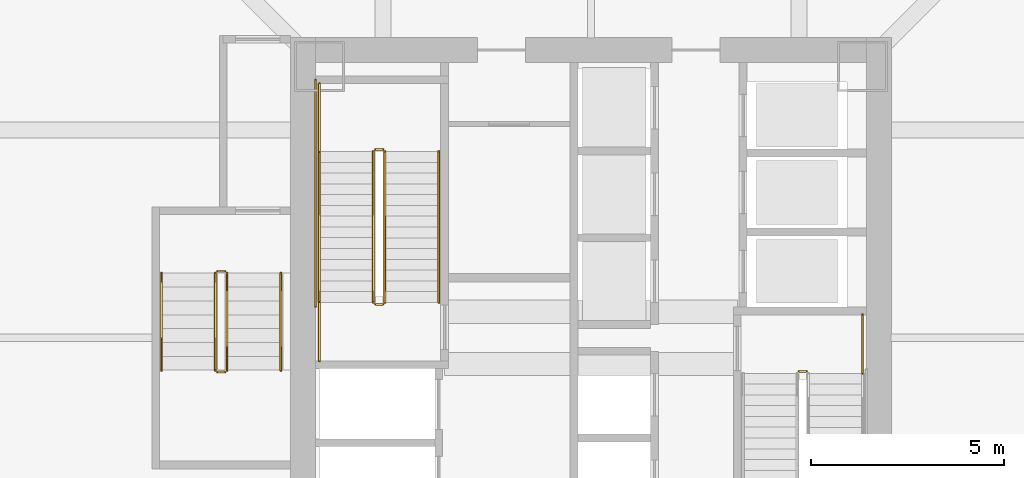
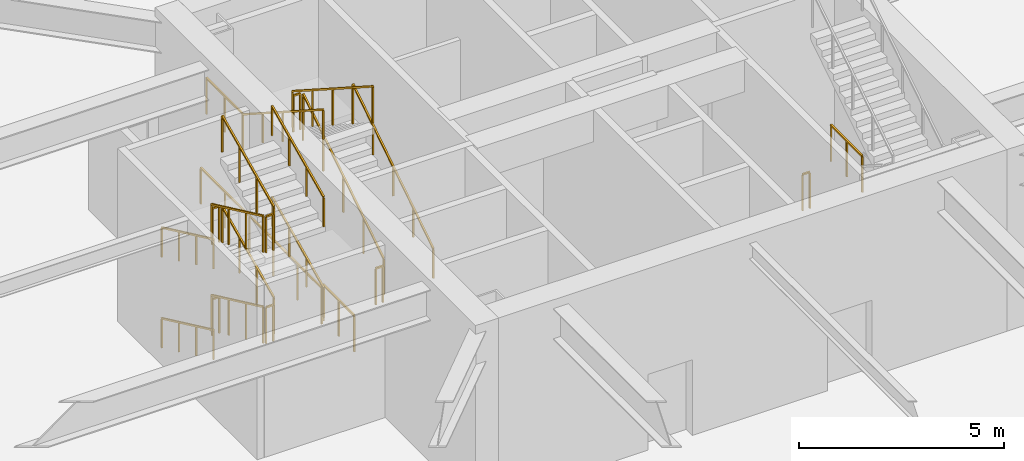
# One storey, part 21 of 26: 23 railings.
"""IFC4 building model written with IfcOpenShell, lengths in metres."""

from ifc_helpers import new_model, si_unit, direction, frame, origin, origin_2d, place, context, subcontext, project, spatial, rectangle, extrude, material, type_object, element, save


model = new_model("IFC4")

# Units and contexts
model_context = context("Model", 3, precision=1e-05, world=origin(), true_north=direction((0.0, 1.0)))
body_context = subcontext(model_context, "Body", "Model", "MODEL_VIEW")
ifc_project = project(units=[si_unit("LENGTHUNIT", "METRE"), si_unit("AREAUNIT", "SQUARE_METRE"), si_unit("VOLUMEUNIT", "CUBIC_METRE"), si_unit("PLANEANGLEUNIT", "RADIAN"), si_unit("MASSUNIT", "GRAM", prefix="KILO")], contexts=[model_context])

# Site, building, storey
site_placement = place(None, origin())
site = spatial("IfcSite", under=ifc_project, at=site_placement, CompositionType="ELEMENT")
building_placement = place(site_placement, origin())
building = spatial("IfcBuilding", under=site, at=building_placement, Name="Tashvorn Skyway Center", CompositionType="ELEMENT")
storey_placement = place(building_placement, origin())
storey = spatial("IfcBuildingStorey", under=building, at=storey_placement, Name="L00", CompositionType="ELEMENT", Elevation=0.0)

# Railings
ifc_material_1 = material(Name="Brushed stainless steel 316", Category="steel")
railing_type_1 = type_object("IfcRailingType", Name="RAIL-HAND-920", PredefinedType="HANDRAIL", material=ifc_material_1)
railing_1_placement = place(storey_placement, frame((38.050048828125, 32.919921875, 0.179931640625)))
element("IfcRailing", 1, at=railing_1_placement, inside=storey, type_object=railing_type_1, Name="L00 ST-T1-1 stair handrail 1", PredefinedType="HANDRAIL", context=body_context, shape_type="SweptSolid", body=[
    extrude(rectangle(XDim=0.048095703125, YDim=0.048095703125, at=origin_2d()), frame((0.0, 0.0, 0.8759765625), z_axis=(0.0, 0.841186985886, 0.540744352514), x_axis=(-1.0, 0.0, 0.0)), (0.0, 0.0, 1.0), 4.660400390625),
    extrude(rectangle(XDim=0.0419921875, YDim=0.0419921875, at=origin_2d()), origin(), (0.0, 0.0, 1.0), 0.851806640625),
    extrude(rectangle(XDim=0.0419921875, YDim=0.0419921875, at=origin_2d()), frame((0.0, 0.97998046875, 0.6298828125)), (0.0, 0.0, 1.0), 0.851806640625),
    extrude(rectangle(XDim=0.0419921875, YDim=0.0419921875, at=origin_2d()), frame((0.0, 1.9599609375, 1.260009765625)), (0.0, 0.0, 1.0), 0.851806640625),
    extrude(rectangle(XDim=0.0419921875, YDim=0.0419921875, at=origin_2d()), frame((0.0, 2.940185546875, 1.89013671875)), (0.0, 0.0, 1.0), 0.851806640625),
    extrude(rectangle(XDim=0.0419921875, YDim=0.0419921875, at=origin_2d()), frame((0.0, 3.920166015625, 2.52001953125)), (0.0, 0.0, 1.0), 0.851806640625),
])
railing_2_placement = place(storey_placement, frame((34.949951171875, 36.840087890625, 2.8798828125)))
element("IfcRailing", 2, at=railing_2_placement, inside=storey, type_object=railing_type_1, Name="L00 ST-T1-1 stair handrail 2", PredefinedType="HANDRAIL", context=body_context, shape_type="SweptSolid", body=[
    extrude(rectangle(XDim=0.048095703125, YDim=0.048095703125, at=origin_2d()), frame((0.0, 0.0, 0.8759765625), z_axis=(0.0, -0.841186985886, 0.540744352514), x_axis=(1.0, 0.0, 0.0)), (0.0, 0.0, 1.0), 4.660400390625),
    extrude(rectangle(XDim=0.0419921875, YDim=0.0419921875, at=origin_2d()), origin(), (0.0, 0.0, 1.0), 0.851806640625),
    extrude(rectangle(XDim=0.0419921875, YDim=0.0419921875, at=origin_2d()), frame((0.0, -0.97998046875, 0.6298828125)), (0.0, 0.0, 1.0), 0.851806640625),
    extrude(rectangle(XDim=0.0419921875, YDim=0.0419921875, at=origin_2d()), frame((0.0, -1.9599609375, 1.260009765625)), (0.0, 0.0, 1.0), 0.851806640625),
    extrude(rectangle(XDim=0.0419921875, YDim=0.0419921875, at=origin_2d()), frame((0.0, -2.940185546875, 1.89013671875)), (0.0, 0.0, 1.0), 0.851806640625),
    extrude(rectangle(XDim=0.0419921875, YDim=0.0419921875, at=origin_2d()), frame((0.0, -3.920166015625, 2.52001953125)), (0.0, 0.0, 1.0), 0.851806640625),
])
railing_3_placement = place(storey_placement, frame((30.85009765625, 33.679931640625, 0.168701171875)))
element("IfcRailing", 3, at=railing_3_placement, inside=storey, type_object=railing_type_1, Name="L00 ST-T1-3 stair handrail 1", PredefinedType="HANDRAIL", context=body_context, shape_type="SweptSolid", body=[
    extrude(rectangle(XDim=0.048095703125, YDim=0.048095703125, at=origin_2d()), frame((0.0, 0.0, 0.8759765625), z_axis=(0.0, -0.905439972488, 0.424474329284), x_axis=(1.0, 0.0, 0.0)), (0.0, 0.0, 1.0), 2.783203125),
    extrude(rectangle(XDim=0.0419921875, YDim=0.0419921875, at=origin_2d()), origin(), (0.0, 0.0, 1.0), 0.851806640625),
    extrude(rectangle(XDim=0.0419921875, YDim=0.0419921875, at=origin_2d()), frame((0.0, -0.840087890625, 0.393798828125)), (0.0, 0.0, 1.0), 0.851806640625),
    extrude(rectangle(XDim=0.0419921875, YDim=0.0419921875, at=origin_2d()), frame((0.0, -1.679931640625, 0.78759765625)), (0.0, 0.0, 1.0), 0.851806640625),
    extrude(rectangle(XDim=0.0419921875, YDim=0.0419921875, at=origin_2d()), frame((0.0, -2.52001953125, 1.181396484375)), (0.0, 0.0, 1.0), 0.851806640625),
])
railing_4_placement = place(storey_placement, frame((33.949951171875, 31.159912109375, 1.518798828125)))
element("IfcRailing", 4, at=railing_4_placement, inside=storey, type_object=railing_type_1, Name="L00 ST-T1-3 stair handrail 2", PredefinedType="HANDRAIL", context=body_context, shape_type="SweptSolid", body=[
    extrude(rectangle(XDim=0.048095703125, YDim=0.048095703125, at=origin_2d()), frame((0.0, 0.0, 0.8759765625), z_axis=(0.0, 0.905473684625, 0.424402410988), x_axis=(-1.0, 0.0, 0.0)), (0.0, 0.0, 1.0), 2.783203125),
    extrude(rectangle(XDim=0.0419921875, YDim=0.0419921875, at=origin_2d()), origin(), (0.0, 0.0, 1.0), 0.851806640625),
    extrude(rectangle(XDim=0.0419921875, YDim=0.0419921875, at=origin_2d()), frame((0.0, 0.840087890625, 0.393798828125)), (0.0, 0.0, 1.0), 0.851806640625),
    extrude(rectangle(XDim=0.0419921875, YDim=0.0419921875, at=origin_2d()), frame((0.0, 1.679931640625, 0.787353515625)), (0.0, 0.0, 1.0), 0.851806640625),
    extrude(rectangle(XDim=0.0419921875, YDim=0.0419921875, at=origin_2d()), frame((0.0, 2.52001953125, 1.18115234375)), (0.0, 0.0, 1.0), 0.851806640625),
])
railing_5_placement = place(storey_placement, frame((30.85009765625, 33.679931640625, 2.86865234375)))
element("IfcRailing", 5, at=railing_5_placement, inside=storey, type_object=railing_type_1, Name="L00 ST-T1-3 stair handrail 3", PredefinedType="HANDRAIL", context=body_context, shape_type="SweptSolid", body=[
    extrude(rectangle(XDim=0.048095703125, YDim=0.048095703125, at=origin_2d()), frame((0.0, 0.0, 0.8759765625), z_axis=(0.0, -0.905439972488, 0.424474329284), x_axis=(1.0, 0.0, 0.0)), (0.0, 0.0, 1.0), 2.783203125),
    extrude(rectangle(XDim=0.0419921875, YDim=0.0419921875, at=origin_2d()), origin(), (0.0, 0.0, 1.0), 0.851806640625),
    extrude(rectangle(XDim=0.0419921875, YDim=0.0419921875, at=origin_2d()), frame((0.0, -0.840087890625, 0.393798828125)), (0.0, 0.0, 1.0), 0.851806640625),
    extrude(rectangle(XDim=0.0419921875, YDim=0.0419921875, at=origin_2d()), frame((0.0, -1.679931640625, 0.78759765625)), (0.0, 0.0, 1.0), 0.851806640625),
    extrude(rectangle(XDim=0.0419921875, YDim=0.0419921875, at=origin_2d()), frame((0.0, -2.52001953125, 1.181396484375)), (0.0, 0.0, 1.0), 0.851806640625),
])
railing_6_placement = place(storey_placement, frame((33.949951171875, 31.159912109375, 4.21875)))
element("IfcRailing", 6, at=railing_6_placement, inside=storey, type_object=railing_type_1, Name="L00 ST-T1-3 stair handrail 4", PredefinedType="HANDRAIL", context=body_context, shape_type="SweptSolid", body=[
    extrude(rectangle(XDim=0.048095703125, YDim=0.048095703125, at=origin_2d()), frame((0.0, 0.0, 0.8759765625), z_axis=(0.0, 0.905473684625, 0.424402410988), x_axis=(-1.0, 0.0, 0.0)), (0.0, 0.0, 1.0), 2.783203125),
    extrude(rectangle(XDim=0.0419921875, YDim=0.0419921875, at=origin_2d()), origin(), (0.0, 0.0, 1.0), 0.851806640625),
    extrude(rectangle(XDim=0.0419921875, YDim=0.0419921875, at=origin_2d()), frame((0.0, 0.840087890625, 0.393798828125)), (0.0, 0.0, 1.0), 0.851806640625),
    extrude(rectangle(XDim=0.0419921875, YDim=0.0419921875, at=origin_2d()), frame((0.0, 1.679931640625, 0.787353515625)), (0.0, 0.0, 1.0), 0.851806640625),
    extrude(rectangle(XDim=0.0419921875, YDim=0.0419921875, at=origin_2d()), frame((0.0, 2.52001953125, 1.18115234375)), (0.0, 0.0, 1.0), 0.851806640625),
])
ifc_material_2 = material(Name="Painted galvanized steel S355", Category="steel")
railing_type_2 = type_object("IfcRailingType", Name="RAIL-STGUARD-1100", PredefinedType="GUARDRAIL", material=ifc_material_2)
railing_7_placement = place(storey_placement, frame((36.64990234375, 32.919921875, 0.179931640625)))
element("IfcRailing", 7, at=railing_7_placement, inside=storey, type_object=railing_type_2, Name="L00 ST-T1-1 stair guard 1", PredefinedType="GUARDRAIL", context=body_context, shape_type="SweptSolid", body=[
    extrude(rectangle(XDim=0.048095703125, YDim=0.048095703125, at=origin_2d()), frame((0.0, 0.0, 1.076171875), z_axis=(0.0, 0.841186985886, 0.540744352514), x_axis=(-1.0, 0.0, 0.0)), (0.0, 0.0, 1.0), 4.660400390625),
    extrude(rectangle(XDim=0.0419921875, YDim=0.0419921875, at=origin_2d()), origin(), (0.0, 0.0, 1.0), 1.052001953125),
    extrude(rectangle(XDim=0.0419921875, YDim=0.0419921875, at=origin_2d()), frame((0.0, 0.97998046875, 0.6298828125)), (0.0, 0.0, 1.0), 1.052001953125),
    extrude(rectangle(XDim=0.0419921875, YDim=0.0419921875, at=origin_2d()), frame((0.0, 1.9599609375, 1.260009765625)), (0.0, 0.0, 1.0), 1.052001953125),
    extrude(rectangle(XDim=0.0419921875, YDim=0.0419921875, at=origin_2d()), frame((0.0, 2.940185546875, 1.89013671875)), (0.0, 0.0, 1.0), 1.052001953125),
    extrude(rectangle(XDim=0.0419921875, YDim=0.0419921875, at=origin_2d()), frame((0.0, 3.920166015625, 2.52001953125)), (0.0, 0.0, 1.0), 1.052001953125),
])
railing_8_placement = place(storey_placement, frame((36.60009765625, 36.889892578125, 2.699951171875)))
element("IfcRailing", 8, at=railing_8_placement, inside=storey, type_object=railing_type_2, Name="L00 ST-T1-1 stair guard 2", PredefinedType="GUARDRAIL", context=body_context, shape_type="SweptSolid", body=[
    extrude(rectangle(XDim=0.048095703125, YDim=0.048095703125, at=origin_2d()), frame((0.0, 0.0, 1.076171875), z_axis=(-1.0, 0.0, 0.0), x_axis=(0.0, -1.0, 0.0)), (0.0, 0.0, 1.0), 0.2001953125),
    extrude(rectangle(XDim=0.0419921875, YDim=0.0419921875, at=origin_2d()), origin(), (0.0, 0.0, 1.0), 1.052001953125),
    extrude(rectangle(XDim=0.0419921875, YDim=0.0419921875, at=origin_2d()), frame((-0.2001953125, 0.0, 0.0)), (0.0, 0.0, 1.0), 1.052001953125),
])
railing_9_placement = place(storey_placement, frame((34.949951171875, 36.840087890625, 2.699951171875)))
element("IfcRailing", 9, at=railing_9_placement, inside=storey, type_object=railing_type_2, Name="L00 ST-T1-1 stair guard 3", PredefinedType="GUARDRAIL", context=body_context, shape_type="SweptSolid", body=[
    extrude(rectangle(XDim=0.048095703125, YDim=0.048095703125, at=origin_2d()), frame((0.0, 0.0, 1.076171875), z_axis=(0.0, 1.0, 0.0), x_axis=(-1.0, 0.0, 0.0)), (0.0, 0.0, 1.0), 1.760009765625),
    extrude(rectangle(XDim=0.0419921875, YDim=0.0419921875, at=origin_2d()), origin(), (0.0, 0.0, 1.0), 1.052001953125),
    extrude(rectangle(XDim=0.0419921875, YDim=0.0419921875, at=origin_2d()), frame((0.0, 0.8798828125, 0.0)), (0.0, 0.0, 1.0), 1.052001953125),
    extrude(rectangle(XDim=0.0419921875, YDim=0.0419921875, at=origin_2d()), frame((0.0, 1.760009765625, 0.0)), (0.0, 0.0, 1.0), 1.052001953125),
])
railing_10_placement = place(storey_placement, frame((36.35009765625, 36.840087890625, 2.8798828125)))
element("IfcRailing", 10, at=railing_10_placement, inside=storey, type_object=railing_type_2, Name="L00 ST-T1-1 stair guard 4", PredefinedType="GUARDRAIL", context=body_context, shape_type="SweptSolid", body=[
    extrude(rectangle(XDim=0.048095703125, YDim=0.048095703125, at=origin_2d()), frame((0.0, 0.0, 1.076171875), z_axis=(0.0, -0.841186985886, 0.540744352514), x_axis=(1.0, 0.0, 0.0)), (0.0, 0.0, 1.0), 4.660400390625),
    extrude(rectangle(XDim=0.0419921875, YDim=0.0419921875, at=origin_2d()), origin(), (0.0, 0.0, 1.0), 1.052001953125),
    extrude(rectangle(XDim=0.0419921875, YDim=0.0419921875, at=origin_2d()), frame((0.0, -0.97998046875, 0.6298828125)), (0.0, 0.0, 1.0), 1.052001953125),
    extrude(rectangle(XDim=0.0419921875, YDim=0.0419921875, at=origin_2d()), frame((0.0, -1.9599609375, 1.260009765625)), (0.0, 0.0, 1.0), 1.052001953125),
    extrude(rectangle(XDim=0.0419921875, YDim=0.0419921875, at=origin_2d()), frame((0.0, -2.940185546875, 1.89013671875)), (0.0, 0.0, 1.0), 1.052001953125),
    extrude(rectangle(XDim=0.0419921875, YDim=0.0419921875, at=origin_2d()), frame((0.0, -3.920166015625, 2.52001953125)), (0.0, 0.0, 1.0), 1.052001953125),
])
railing_11_placement = place(storey_placement, frame((36.60009765625, 32.8701171875, 0.0)))
element("IfcRailing", 11, at=railing_11_placement, inside=storey, type_object=railing_type_2, Name="L00 ST-T1-1 stair guard 5", PredefinedType="GUARDRAIL", context=body_context, shape_type="SweptSolid", body=[
    extrude(rectangle(XDim=0.048095703125, YDim=0.048095703125, at=origin_2d()), frame((0.0, 0.0, 1.076171875), z_axis=(-1.0, 0.0, 0.0), x_axis=(0.0, -1.0, 0.0)), (0.0, 0.0, 1.0), 0.2001953125),
    extrude(rectangle(XDim=0.0419921875, YDim=0.0419921875, at=origin_2d()), origin(), (0.0, 0.0, 1.0), 1.052001953125),
    extrude(rectangle(XDim=0.0419921875, YDim=0.0419921875, at=origin_2d()), frame((-0.2001953125, 0.0, 0.0)), (0.0, 0.0, 1.0), 1.052001953125),
])
railing_12_placement = place(storey_placement, frame((34.949951171875, 31.39990234375, 0.0)))
element("IfcRailing", 12, at=railing_12_placement, inside=storey, type_object=railing_type_2, Name="L00 ST-T1-1 stair guard 6", PredefinedType="GUARDRAIL", context=body_context, shape_type="SweptSolid", body=[
    extrude(rectangle(XDim=0.048095703125, YDim=0.048095703125, at=origin_2d()), frame((0.0, 0.0, 1.076171875), z_axis=(0.0, 1.0, 0.0), x_axis=(-1.0, 0.0, 0.0)), (0.0, 0.0, 1.0), 1.52001953125),
    extrude(rectangle(XDim=0.0419921875, YDim=0.0419921875, at=origin_2d()), origin(), (0.0, 0.0, 1.0), 1.052001953125),
    extrude(rectangle(XDim=0.0419921875, YDim=0.0419921875, at=origin_2d()), frame((0.0, 0.760009765625, 0.0)), (0.0, 0.0, 1.0), 1.052001953125),
    extrude(rectangle(XDim=0.0419921875, YDim=0.0419921875, at=origin_2d()), frame((0.0, 1.52001953125, 0.0)), (0.0, 0.0, 1.0), 1.052001953125),
])
railing_13_placement = place(storey_placement, frame((34.85009765625, 32.820068359375, 0.0)))
element("IfcRailing", 13, at=railing_13_placement, inside=storey, type_object=railing_type_2, Name="L00 ST-T1-1 stair guard 7", PredefinedType="GUARDRAIL", context=body_context, shape_type="SweptSolid", body=[
    extrude(rectangle(XDim=0.048095703125, YDim=0.048095703125, at=origin_2d()), frame((0.0, 0.0, 1.076171875), z_axis=(0.0, 1.0, 0.0), x_axis=(-1.0, 0.0, 0.0)), (0.0, 0.0, 1.0), 5.8798828125),
    extrude(rectangle(XDim=0.0419921875, YDim=0.0419921875, at=origin_2d()), origin(), (0.0, 0.0, 1.0), 1.052001953125),
    extrude(rectangle(XDim=0.0419921875, YDim=0.0419921875, at=origin_2d()), frame((0.0, 1.176025390625, 0.0)), (0.0, 0.0, 1.0), 1.052001953125),
    extrude(rectangle(XDim=0.0419921875, YDim=0.0419921875, at=origin_2d()), frame((0.0, 2.35205078125, 0.0)), (0.0, 0.0, 1.0), 1.052001953125),
    extrude(rectangle(XDim=0.0419921875, YDim=0.0419921875, at=origin_2d()), frame((0.0, 3.52783203125, 0.0)), (0.0, 0.0, 1.0), 1.052001953125),
    extrude(rectangle(XDim=0.0419921875, YDim=0.0419921875, at=origin_2d()), frame((0.0, 4.703857421875, 0.0)), (0.0, 0.0, 1.0), 1.052001953125),
    extrude(rectangle(XDim=0.0419921875, YDim=0.0419921875, at=origin_2d()), frame((0.0, 5.8798828125, 0.0)), (0.0, 0.0, 1.0), 1.052001953125),
])
railing_14_placement = place(storey_placement, frame((47.39990234375, 31.1298828125, 0.0)))
element("IfcRailing", 14, at=railing_14_placement, inside=storey, type_object=railing_type_2, Name="L00 ST-T1-2 stair guard 5", PredefinedType="GUARDRAIL", context=body_context, shape_type="SweptSolid", body=[
    extrude(rectangle(XDim=0.048095703125, YDim=0.048095703125, at=origin_2d()), frame((0.0, 0.0, 1.076171875), z_axis=(1.0, 0.0, 0.0), x_axis=(0.0, 1.0, 0.0)), (0.0, 0.0, 1.0), 0.2001953125),
    extrude(rectangle(XDim=0.0419921875, YDim=0.0419921875, at=origin_2d()), origin(), (0.0, 0.0, 1.0), 1.052001953125),
    extrude(rectangle(XDim=0.0419921875, YDim=0.0419921875, at=origin_2d()), frame((0.2001953125, 0.0, 0.0)), (0.0, 0.0, 1.0), 1.052001953125),
])
railing_15_placement = place(storey_placement, frame((49.050048828125, 32.60009765625, 0.0)))
element("IfcRailing", 15, at=railing_15_placement, inside=storey, type_object=railing_type_2, Name="L00 ST-T1-2 stair guard 6", PredefinedType="GUARDRAIL", context=body_context, shape_type="SweptSolid", body=[
    extrude(rectangle(XDim=0.048095703125, YDim=0.048095703125, at=origin_2d()), frame((0.0, 0.0, 1.076171875), z_axis=(0.0, -1.0, 0.0), x_axis=(1.0, 0.0, 0.0)), (0.0, 0.0, 1.0), 1.52001953125),
    extrude(rectangle(XDim=0.0419921875, YDim=0.0419921875, at=origin_2d()), origin(), (0.0, 0.0, 1.0), 1.052001953125),
    extrude(rectangle(XDim=0.0419921875, YDim=0.0419921875, at=origin_2d()), frame((0.0, -0.760009765625, 0.0)), (0.0, 0.0, 1.0), 1.052001953125),
    extrude(rectangle(XDim=0.0419921875, YDim=0.0419921875, at=origin_2d()), frame((0.0, -1.52001953125, 0.0)), (0.0, 0.0, 1.0), 1.052001953125),
])
railing_16_placement = place(storey_placement, frame((32.25, 33.679931640625, 0.168701171875)))
element("IfcRailing", 16, at=railing_16_placement, inside=storey, type_object=railing_type_2, Name="L00 ST-T1-3 stair guard 1", PredefinedType="GUARDRAIL", context=body_context, shape_type="SweptSolid", body=[
    extrude(rectangle(XDim=0.048095703125, YDim=0.048095703125, at=origin_2d()), frame((0.0, 0.0, 1.076171875), z_axis=(0.0, -0.905439972488, 0.424474329284), x_axis=(1.0, 0.0, 0.0)), (0.0, 0.0, 1.0), 2.783203125),
    extrude(rectangle(XDim=0.0419921875, YDim=0.0419921875, at=origin_2d()), origin(), (0.0, 0.0, 1.0), 1.052001953125),
    extrude(rectangle(XDim=0.0419921875, YDim=0.0419921875, at=origin_2d()), frame((0.0, -0.840087890625, 0.393798828125)), (0.0, 0.0, 1.0), 1.052001953125),
    extrude(rectangle(XDim=0.0419921875, YDim=0.0419921875, at=origin_2d()), frame((0.0, -1.679931640625, 0.78759765625)), (0.0, 0.0, 1.0), 1.052001953125),
    extrude(rectangle(XDim=0.0419921875, YDim=0.0419921875, at=origin_2d()), frame((0.0, -2.52001953125, 1.181396484375)), (0.0, 0.0, 1.0), 1.052001953125),
])
railing_17_placement = place(storey_placement, frame((32.300048828125, 31.110107421875, 1.35009765625)))
element("IfcRailing", 17, at=railing_17_placement, inside=storey, type_object=railing_type_2, Name="L00 ST-T1-3 stair guard 2", PredefinedType="GUARDRAIL", context=body_context, shape_type="SweptSolid", body=[
    extrude(rectangle(XDim=0.048095703125, YDim=0.048095703125, at=origin_2d()), frame((0.0, 0.0, 1.076171875), z_axis=(1.0, 0.0, 0.0), x_axis=(0.0, 1.0, 0.0)), (0.0, 0.0, 1.0), 0.199951171875),
    extrude(rectangle(XDim=0.0419921875, YDim=0.0419921875, at=origin_2d()), origin(), (0.0, 0.0, 1.0), 1.052001953125),
    extrude(rectangle(XDim=0.0419921875, YDim=0.0419921875, at=origin_2d()), frame((0.199951171875, 0.0, 0.0)), (0.0, 0.0, 1.0), 1.052001953125),
])
railing_18_placement = place(storey_placement, frame((32.550048828125, 31.159912109375, 1.518798828125)))
element("IfcRailing", 18, at=railing_18_placement, inside=storey, type_object=railing_type_2, Name="L00 ST-T1-3 stair guard 3", PredefinedType="GUARDRAIL", context=body_context, shape_type="SweptSolid", body=[
    extrude(rectangle(XDim=0.048095703125, YDim=0.048095703125, at=origin_2d()), frame((0.0, 0.0, 1.076171875), z_axis=(0.0, 0.905473684625, 0.424402410988), x_axis=(-1.0, 0.0, 0.0)), (0.0, 0.0, 1.0), 2.783203125),
    extrude(rectangle(XDim=0.0419921875, YDim=0.0419921875, at=origin_2d()), origin(), (0.0, 0.0, 1.0), 1.052001953125),
    extrude(rectangle(XDim=0.0419921875, YDim=0.0419921875, at=origin_2d()), frame((0.0, 0.840087890625, 0.393798828125)), (0.0, 0.0, 1.0), 1.052001953125),
    extrude(rectangle(XDim=0.0419921875, YDim=0.0419921875, at=origin_2d()), frame((0.0, 1.679931640625, 0.787353515625)), (0.0, 0.0, 1.0), 1.052001953125),
    extrude(rectangle(XDim=0.0419921875, YDim=0.0419921875, at=origin_2d()), frame((0.0, 2.52001953125, 1.18115234375)), (0.0, 0.0, 1.0), 1.052001953125),
])
railing_19_placement = place(storey_placement, frame((32.300048828125, 33.72998046875, 2.699951171875)))
element("IfcRailing", 19, at=railing_19_placement, inside=storey, type_object=railing_type_2, Name="L00 ST-T1-3 stair guard 4", PredefinedType="GUARDRAIL", context=body_context, shape_type="SweptSolid", body=[
    extrude(rectangle(XDim=0.048095703125, YDim=0.048095703125, at=origin_2d()), frame((0.0, 0.0, 1.076171875), z_axis=(1.0, 0.0, 0.0), x_axis=(0.0, 1.0, 0.0)), (0.0, 0.0, 1.0), 0.199951171875),
    extrude(rectangle(XDim=0.0419921875, YDim=0.0419921875, at=origin_2d()), origin(), (0.0, 0.0, 1.0), 1.052001953125),
    extrude(rectangle(XDim=0.0419921875, YDim=0.0419921875, at=origin_2d()), frame((0.199951171875, 0.0, 0.0)), (0.0, 0.0, 1.0), 1.052001953125),
])
railing_20_placement = place(storey_placement, frame((32.25, 33.679931640625, 2.86865234375)))
element("IfcRailing", 20, at=railing_20_placement, inside=storey, type_object=railing_type_2, Name="L00 ST-T1-3 stair guard 5", PredefinedType="GUARDRAIL", context=body_context, shape_type="SweptSolid", body=[
    extrude(rectangle(XDim=0.048095703125, YDim=0.048095703125, at=origin_2d()), frame((0.0, 0.0, 1.076171875), z_axis=(0.0, -0.905439972488, 0.424474329284), x_axis=(1.0, 0.0, 0.0)), (0.0, 0.0, 1.0), 2.783203125),
    extrude(rectangle(XDim=0.0419921875, YDim=0.0419921875, at=origin_2d()), origin(), (0.0, 0.0, 1.0), 1.052001953125),
    extrude(rectangle(XDim=0.0419921875, YDim=0.0419921875, at=origin_2d()), frame((0.0, -0.840087890625, 0.393798828125)), (0.0, 0.0, 1.0), 1.052001953125),
    extrude(rectangle(XDim=0.0419921875, YDim=0.0419921875, at=origin_2d()), frame((0.0, -1.679931640625, 0.78759765625)), (0.0, 0.0, 1.0), 1.052001953125),
    extrude(rectangle(XDim=0.0419921875, YDim=0.0419921875, at=origin_2d()), frame((0.0, -2.52001953125, 1.181396484375)), (0.0, 0.0, 1.0), 1.052001953125),
])
railing_21_placement = place(storey_placement, frame((32.300048828125, 31.110107421875, 4.050048828125)))
element("IfcRailing", 21, at=railing_21_placement, inside=storey, type_object=railing_type_2, Name="L00 ST-T1-3 stair guard 6", PredefinedType="GUARDRAIL", context=body_context, shape_type="SweptSolid", body=[
    extrude(rectangle(XDim=0.048095703125, YDim=0.048095703125, at=origin_2d()), frame((0.0, 0.0, 1.076171875), z_axis=(1.0, 0.0, 0.0), x_axis=(0.0, 1.0, 0.0)), (0.0, 0.0, 1.0), 0.199951171875),
    extrude(rectangle(XDim=0.0419921875, YDim=0.0419921875, at=origin_2d()), origin(), (0.0, 0.0, 1.0), 1.052001953125),
    extrude(rectangle(XDim=0.0419921875, YDim=0.0419921875, at=origin_2d()), frame((0.199951171875, 0.0, 0.0)), (0.0, 0.0, 1.0), 1.052001953125),
])
railing_22_placement = place(storey_placement, frame((32.550048828125, 31.159912109375, 4.21875)))
element("IfcRailing", 22, at=railing_22_placement, inside=storey, type_object=railing_type_2, Name="L00 ST-T1-3 stair guard 7", PredefinedType="GUARDRAIL", context=body_context, shape_type="SweptSolid", body=[
    extrude(rectangle(XDim=0.048095703125, YDim=0.048095703125, at=origin_2d()), frame((0.0, 0.0, 1.076171875), z_axis=(0.0, 0.905473684625, 0.424402410988), x_axis=(-1.0, 0.0, 0.0)), (0.0, 0.0, 1.0), 2.783203125),
    extrude(rectangle(XDim=0.0419921875, YDim=0.0419921875, at=origin_2d()), origin(), (0.0, 0.0, 1.0), 1.052001953125),
    extrude(rectangle(XDim=0.0419921875, YDim=0.0419921875, at=origin_2d()), frame((0.0, 0.840087890625, 0.393798828125)), (0.0, 0.0, 1.0), 1.052001953125),
    extrude(rectangle(XDim=0.0419921875, YDim=0.0419921875, at=origin_2d()), frame((0.0, 1.679931640625, 0.787353515625)), (0.0, 0.0, 1.0), 1.052001953125),
    extrude(rectangle(XDim=0.0419921875, YDim=0.0419921875, at=origin_2d()), frame((0.0, 2.52001953125, 1.18115234375)), (0.0, 0.0, 1.0), 1.052001953125),
])
railing_23_placement = place(storey_placement, frame((32.300048828125, 33.72998046875, 0.0)))
element("IfcRailing", 23, at=railing_23_placement, inside=storey, type_object=railing_type_2, Name="L00 ST-T1-3 stair guard 8", PredefinedType="GUARDRAIL", context=body_context, shape_type="SweptSolid", body=[
    extrude(rectangle(XDim=0.048095703125, YDim=0.048095703125, at=origin_2d()), frame((0.0, 0.0, 1.076171875), z_axis=(1.0, 0.0, 0.0), x_axis=(0.0, 1.0, 0.0)), (0.0, 0.0, 1.0), 0.199951171875),
    extrude(rectangle(XDim=0.0419921875, YDim=0.0419921875, at=origin_2d()), origin(), (0.0, 0.0, 1.0), 1.052001953125),
    extrude(rectangle(XDim=0.0419921875, YDim=0.0419921875, at=origin_2d()), frame((0.199951171875, 0.0, 0.0)), (0.0, 0.0, 1.0), 1.052001953125),
])

save(model, "model.ifc")
